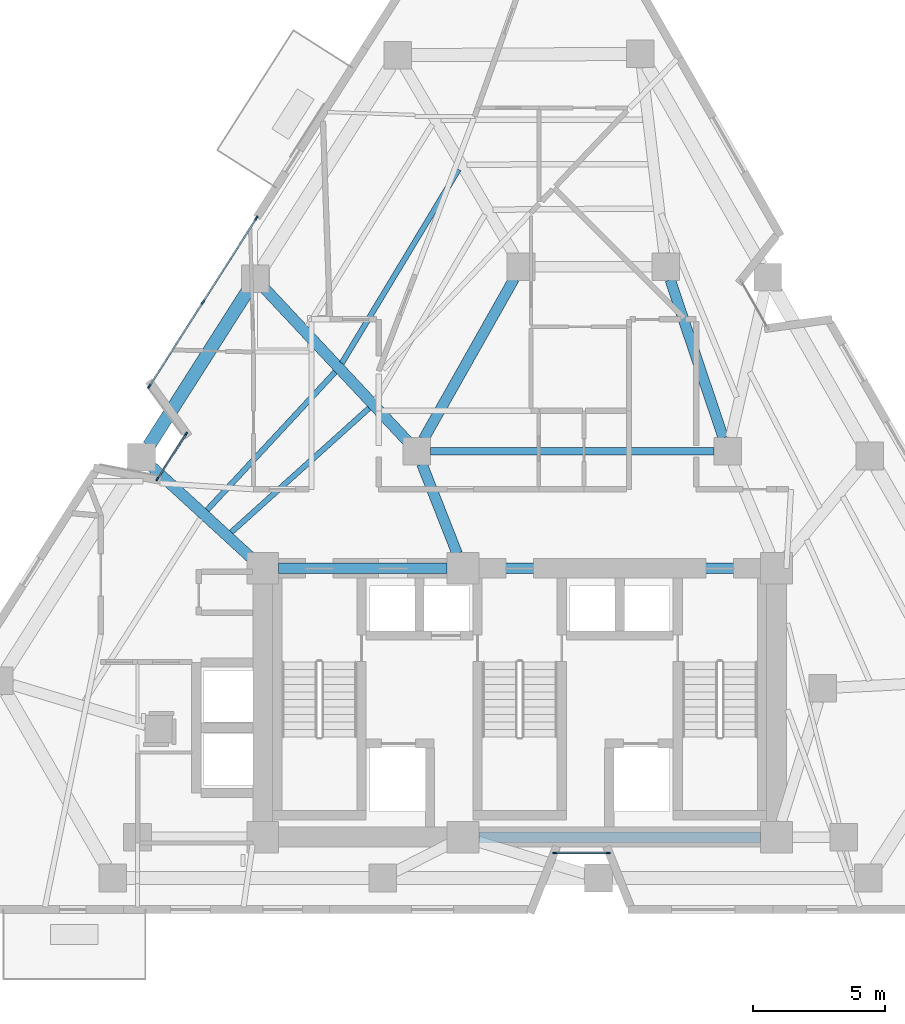
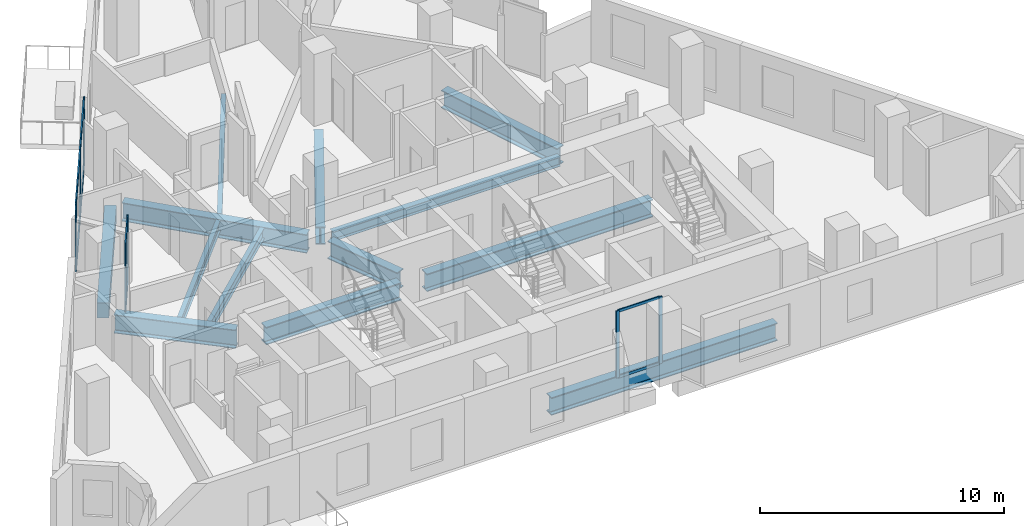
# One storey, part 2 of 11: 15 members, 13 beams, 3 elements without a shape of their own.
"""IFC4 building model written with IfcOpenShell, lengths in metres."""

from ifc_helpers import new_model, si_unit, direction, frame, origin, origin_2d, place, context, subcontext, project, spatial, rectangle, i_section, extrude, material, layer, layer_set, material_profile, profile_set, type_object, element, aggregate, save


model = new_model("IFC4")

# Units and contexts
model_context = context("Model", 3, precision=1e-05, world=origin(), true_north=direction((0.0, 1.0)))
body_context = subcontext(model_context, "Body", "Model", "MODEL_VIEW")
ifc_project = project(units=[si_unit("LENGTHUNIT", "METRE"), si_unit("AREAUNIT", "SQUARE_METRE"), si_unit("VOLUMEUNIT", "CUBIC_METRE"), si_unit("PLANEANGLEUNIT", "RADIAN"), si_unit("MASSUNIT", "GRAM", prefix="KILO")], contexts=[model_context])

# Site, building, storey
site_placement = place(None, origin())
site = spatial("IfcSite", under=ifc_project, at=site_placement, CompositionType="ELEMENT")
building_placement = place(site_placement, origin())
building = spatial("IfcBuilding", under=site, at=building_placement, Name="Almagre Mirador Tower", CompositionType="ELEMENT")
storey_placement = place(building_placement, frame((0.0, 0.0, 150.0)))
storey = spatial("IfcBuildingStorey", under=building, at=storey_placement, Name="L38", CompositionType="ELEMENT", Elevation=150.0)

# Beams
ifc_material_1 = material(Name="Steel ASTM A992 Grade 50", Category="steel")
ifc_material_profile_1 = material_profile(ifc_material_1, i_section(OverallWidth=0.281982421875, OverallDepth=0.467041015625, WebThickness=0.01220703125, FlangeThickness=0.01953125, FilletRadius=0.01611328125, at=origin_2d()), Name="W18X86")
ifc_profile_set_1 = profile_set([ifc_material_profile_1], Name="Steel ASTM A992 Grade 50")
beam_type_1 = type_object("IfcBeamType", Name="BM-BAL-W18X86", PredefinedType="JOIST", material=ifc_profile_set_1)
beam_1_placement = place(storey_placement, frame((33.925048828125, 19.199951171875, -0.4833984375), z_axis=(1.0, 0.0, 0.0), x_axis=(0.0, 1.0, 0.0)))
element("IfcBeam", 1, at=beam_1_placement, inside=storey, type_object=beam_type_1, Name="L38 secondary header beam BB-01", PredefinedType="JOIST", context=body_context, shape_type="SweptSolid", body=[
    extrude(i_section(OverallWidth=0.281982421875, OverallDepth=0.467041015625, WebThickness=0.01220703125, FlangeThickness=0.01953125, FilletRadius=0.01611328125, at=origin_2d()), origin(), (0.0, 0.0, 1.0), 10.75),
])
ifc_material_2 = material(Name="Steel ASTM A992 Grade 50", Category="steel")
ifc_material_profile_2 = material_profile(ifc_material_2, i_section(OverallWidth=0.208984375, OverallDepth=0.532958984375, WebThickness=0.01025390625, FlangeThickness=0.015625, FilletRadius=0.01806640625, at=origin_2d()), Name="W21X62")
ifc_profile_set_2 = profile_set([ifc_material_profile_2], Name="Steel ASTM A992 Grade 50")
beam_type_2 = type_object("IfcBeamType", Name="BM-JST-W21X62", PredefinedType="JOIST", material=ifc_profile_set_2)
beam_2_placement = place(storey_placement, frame((34.986083984375, 29.89208984375, -0.5166015625), z_axis=(-0.516288028527, -0.856415011311, 0.0), x_axis=(0.856415011311, -0.516288028527, 0.0)))
element("IfcBeam", 2, at=beam_2_placement, inside=storey, type_object=beam_type_2, Name="L38 secondary floor joist PC09-PC10.2", PredefinedType="JOIST", context=body_context, shape_type="SweptSolid", body=[
    extrude(i_section(OverallWidth=0.208984375, OverallDepth=0.532958984375, WebThickness=0.01025390625, FlangeThickness=0.015625, FilletRadius=0.01806640625, at=origin_2d()), origin(), (0.0, 0.0, 1.0), 8.58837890625),
])
beam_3_placement = place(storey_placement, frame((30.302001953125, 22.20458984375, -0.5166015625), z_axis=(-0.680188995277, -0.733036786733, 0.0), x_axis=(0.733036786733, -0.680188995277, 0.0)))
element("IfcBeam", 3, at=beam_3_placement, inside=storey, type_object=beam_type_2, Name="L38 secondary floor joist PC10-PC11.2", PredefinedType="JOIST", context=body_context, shape_type="SweptSolid", body=[
    extrude(i_section(OverallWidth=0.208984375, OverallDepth=0.532958984375, WebThickness=0.01025390625, FlangeThickness=0.015625, FilletRadius=0.01806640625, at=origin_2d()), origin(), (0.0, 0.0, 1.0), 7.146728515625),
])
beam_4_placement = place(storey_placement, frame((31.58740234375, 20.830810546875, -0.5166015625), z_axis=(-0.743228574816, -0.669037581588, 0.0), x_axis=(0.669037581588, -0.743228574816, 0.0)))
element("IfcBeam", 4, at=beam_4_placement, inside=storey, type_object=beam_type_2, Name="L38 secondary floor joist PC10-PC11.3", PredefinedType="JOIST", context=body_context, shape_type="SweptSolid", body=[
    extrude(i_section(OverallWidth=0.208984375, OverallDepth=0.532958984375, WebThickness=0.01025390625, FlangeThickness=0.015625, FilletRadius=0.01806640625, at=origin_2d()), origin(), (0.0, 0.0, 1.0), 7.03564453125),
])
ifc_material_3 = material(Name="Precast concrete C50/60", Category="concrete")
ifc_material_profile_3 = material_profile(ifc_material_3, rectangle(XDim=0.5, YDim=0.75, at=origin_2d()), Name="RC500X750")
ifc_profile_set_3 = profile_set([ifc_material_profile_3], Name="Precast concrete C50/60")
beam_type_3 = type_object("IfcBeamType", Name="BM-SPN-RC500X750", PredefinedType="SPANDREL", material=ifc_profile_set_3)
beam_5_placement = place(storey_placement, frame((26.989990234375, 25.30419921875, -0.625), z_axis=(-0.537135259931, -0.843496124792, 0.0), x_axis=(0.843496124792, -0.537135259931, 0.0)))
element("IfcBeam", 5, at=beam_5_placement, inside=storey, type_object=beam_type_3, Name="L38 perimeter spandrel beam PC10-PC11", PredefinedType="SPANDREL", context=body_context, shape_type="SweptSolid", body=[
    extrude(rectangle(XDim=0.5, YDim=0.75, at=origin_2d()), origin(), (0.0, 0.0, 1.0), 6.992919921875),
])
ifc_material_4 = material(Name="Steel ASTM A992 Grade 50", Category="steel")
ifc_material_profile_4 = material_profile(ifc_material_4, i_section(OverallWidth=0.404052734375, OverallDepth=0.884033203125, WebThickness=0.0244140625, FlangeThickness=0.0439453125, FilletRadius=0.02490234375, at=origin_2d()), Name="W33X291")
ifc_profile_set_4 = profile_set([ifc_material_profile_4], Name="Steel ASTM A992 Grade 50")
beam_type_4 = type_object("IfcBeamType", Name="BM-STL-W33X291", PredefinedType="BEAM", material=ifc_profile_set_4)
beam_6_placement = place(storey_placement, frame((35.75, 4.550048828125, -0.69189453125), z_axis=(1.0, 0.0, 0.0), x_axis=(0.0, 1.0, 0.0)))
element("IfcBeam", 6, at=beam_6_placement, inside=storey, type_object=beam_type_4, Name="L38 core tie girder CC2-CC3", PredefinedType="BEAM", context=body_context, shape_type="SweptSolid", body=[
    extrude(i_section(OverallWidth=0.404052734375, OverallDepth=0.884033203125, WebThickness=0.0244140625, FlangeThickness=0.0439453125, FilletRadius=0.02490234375, at=origin_2d()), origin(), (0.0, 0.0, 1.0), 10.699951171875),
])
beam_7_placement = place(storey_placement, frame((28.14990234375, 14.75, -0.69189453125), z_axis=(1.0, 0.0, 0.0), x_axis=(0.0, 1.0, 0.0)))
element("IfcBeam", 7, at=beam_7_placement, inside=storey, type_object=beam_type_4, Name="L38 core tie girder CC4-CC5", PredefinedType="BEAM", context=body_context, shape_type="SweptSolid", body=[
    extrude(i_section(OverallWidth=0.404052734375, OverallDepth=0.884033203125, WebThickness=0.0244140625, FlangeThickness=0.0439453125, FilletRadius=0.02490234375, at=origin_2d()), origin(), (0.0, 0.0, 1.0), 6.400146484375),
])
beam_8_placement = place(storey_placement, frame((35.75, 14.75, -0.69189453125), z_axis=(1.0, 0.0, 0.0), x_axis=(0.0, 1.0, 0.0)))
element("IfcBeam", 8, at=beam_8_placement, inside=storey, type_object=beam_type_4, Name="L38 core tie girder CC5-CC6", PredefinedType="BEAM", context=body_context, shape_type="SweptSolid", body=[
    extrude(i_section(OverallWidth=0.404052734375, OverallDepth=0.884033203125, WebThickness=0.0244140625, FlangeThickness=0.0439453125, FilletRadius=0.02490234375, at=origin_2d()), origin(), (0.0, 0.0, 1.0), 10.699951171875),
])
beam_9_placement = place(storey_placement, frame((43.01708984375, 25.702392578125, -0.69189453125), z_axis=(0.318262189587, -0.948002731367, 0.0), x_axis=(0.948002731367, 0.318262189587, 0.0)))
element("IfcBeam", 9, at=beam_9_placement, inside=storey, type_object=beam_type_4, Name="L38 core tie girder MC6-MC5", PredefinedType="BEAM", context=body_context, shape_type="SweptSolid", body=[
    extrude(i_section(OverallWidth=0.404052734375, OverallDepth=0.884033203125, WebThickness=0.0244140625, FlangeThickness=0.0439453125, FilletRadius=0.02490234375, at=origin_2d()), origin(), (0.0, 0.0, 1.0), 6.333984375),
])
beam_10_placement = place(storey_placement, frame((37.092041015625, 25.742919921875, -0.69189453125), z_axis=(-0.491443510044, -0.870909453638, 0.0), x_axis=(0.870909453638, -0.491443510044, 0.0)))
element("IfcBeam", 10, at=beam_10_placement, inside=storey, type_object=beam_type_4, Name="L38 core tie girder MC7-MC8", PredefinedType="BEAM", context=body_context, shape_type="SweptSolid", body=[
    extrude(i_section(OverallWidth=0.404052734375, OverallDepth=0.884033203125, WebThickness=0.0244140625, FlangeThickness=0.0439453125, FilletRadius=0.02490234375, at=origin_2d()), origin(), (0.0, 0.0, 1.0), 6.98779296875),
])
beam_11_placement = place(storey_placement, frame((33.592041015625, 18.71142578125, -0.69189453125), z_axis=(0.365997304164, -0.930615910752, 0.0), x_axis=(0.930615910752, 0.365997304164, 0.0)))
element("IfcBeam", 11, at=beam_11_placement, inside=storey, type_object=beam_type_4, Name="L38 core tie girder MC8-CC5", PredefinedType="BEAM", context=body_context, shape_type="SweptSolid", body=[
    extrude(i_section(OverallWidth=0.404052734375, OverallDepth=0.884033203125, WebThickness=0.0244140625, FlangeThickness=0.0439453125, FilletRadius=0.02490234375, at=origin_2d()), origin(), (0.0, 0.0, 1.0), 3.65673828125),
])
ifc_material_5 = material(Name="Steel ASTM A992 Grade 50", Category="steel")
ifc_material_profile_5 = material_profile(ifc_material_5, i_section(OverallWidth=0.41796875, OverallDepth=0.927001953125, WebThickness=0.019287109375, FlangeThickness=0.031982421875, FilletRadius=0.028076171875, at=origin_2d()), Name="W36X231")
ifc_profile_set_5 = profile_set([ifc_material_profile_5], Name="Steel ASTM A992 Grade 50")
beam_type_5 = type_object("IfcBeamType", Name="BM-STL-W36X231", PredefinedType="BEAM", material=ifc_profile_set_5)
beam_12_placement = place(storey_placement, frame((27.630859375, 25.36376953125, -0.71337890625), z_axis=(0.683347013073, -0.730093733519, 0.0), x_axis=(0.730093733519, 0.683347013073, 0.0)))
element("IfcBeam", 12, at=beam_12_placement, inside=storey, type_object=beam_type_5, Name="L38 radial floor girder PC10-MC8", PredefinedType="BEAM", context=body_context, shape_type="SweptSolid", body=[
    extrude(i_section(OverallWidth=0.41796875, OverallDepth=0.927001953125, WebThickness=0.019287109375, FlangeThickness=0.031982421875, FilletRadius=0.028076171875, at=origin_2d()), origin(), (0.0, 0.0, 1.0), 7.91748046875),
])
beam_13_placement = place(storey_placement, frame((23.339111328125, 18.6083984375, -0.71337890625), z_axis=(0.73728894688, -0.675577537229, 0.0), x_axis=(0.675577537229, 0.73728894688, 0.0)))
element("IfcBeam", 13, at=beam_13_placement, inside=storey, type_object=beam_type_5, Name="L38 radial floor girder PC11-CC4", PredefinedType="BEAM", context=body_context, shape_type="SweptSolid", body=[
    extrude(i_section(OverallWidth=0.41796875, OverallDepth=0.927001953125, WebThickness=0.019287109375, FlangeThickness=0.031982421875, FilletRadius=0.028076171875, at=origin_2d()), origin(), (0.0, 0.0, 1.0), 5.111328125),
])

# Curtain wall, members
ifc_material_6 = material(Name="Black anodized aluminium", Category="aluminium")
ifc_layer_1 = layer(ifc_material_6, 0.169921875)
ifc_layer_set_1 = layer_set([ifc_layer_1], Name="Black anodized aluminium")
curtain_wall_type_1 = type_object("IfcCurtainWallType", Name="CW-CRS-SYS", PredefinedType="NOTDEFINED", material=ifc_layer_set_1)
curtain_wall_1_placement = place(storey_placement, origin())
curtain_wall_1 = element("IfcCurtainWall", 14, at=curtain_wall_1_placement, inside=storey, type_object=curtain_wall_type_1, Name="L38 vertical crease curtain wall 01", PredefinedType="NOTDEFINED")
ifc_material_7 = material(Name="Black anodized aluminium", Category="aluminium")
ifc_material_profile_6 = material_profile(ifc_material_7, rectangle(XDim=0.06005859375, YDim=0.14990234375, at=origin_2d()), Name="CWM60X150")
ifc_profile_set_6 = profile_set([ifc_material_profile_6], Name="Black anodized aluminium")
member_type_1 = type_object("IfcMemberType", Name="MBR-CWM60X150", PredefinedType="MULLION", material=ifc_profile_set_6)
member_1_placement = place(storey_placement, frame((23.552001953125, 18.13720703125, 0.0), z_axis=(0.0, 0.0, 1.0), x_axis=(-0.843286851254, 0.537463753664, 0.0)))
member_1 = element("IfcMember", 15, at=member_1_placement, type_object=member_type_1, Name="CW-4 mullion 1", PredefinedType="MULLION", context=body_context, shape_type="SweptSolid", body=[
    extrude(rectangle(XDim=0.06005859375, YDim=0.14990234375, at=origin_2d()), origin(), (0.0, 0.0, 1.0), 3.35009765625),
])
member_2_placement = place(storey_placement, frame((24.642822265625, 19.8486328125, 0.0), z_axis=(0.0, 0.0, 1.0), x_axis=(-0.843286851254, 0.537463753664, 0.0)))
member_2 = element("IfcMember", 16, at=member_2_placement, type_object=member_type_1, Name="CW-4 mullion 2", PredefinedType="MULLION", context=body_context, shape_type="SweptSolid", body=[
    extrude(rectangle(XDim=0.06005859375, YDim=0.14990234375, at=origin_2d()), origin(), (0.0, 0.0, 1.0), 3.35009765625),
])

curtain_wall_2_placement = place(storey_placement, origin())
curtain_wall_2 = element("IfcCurtainWall", 17, at=curtain_wall_2_placement, inside=storey, type_object=curtain_wall_type_1, Name="L38 vertical crease curtain wall 04", PredefinedType="NOTDEFINED")
member_3_placement = place(storey_placement, frame((40.6708984375, 3.949951171875, 0.0), z_axis=(0.0, 0.0, 1.0), x_axis=(0.0, -1.0, 0.0)))
member_3 = element("IfcMember", 18, at=member_3_placement, type_object=member_type_1, Name="CW-4 mullion 1", PredefinedType="MULLION", context=body_context, shape_type="SweptSolid", body=[
    extrude(rectangle(XDim=0.06005859375, YDim=0.14990234375, at=origin_2d()), origin(), (0.0, 0.0, 1.0), 3.35009765625),
])
member_4_placement = place(storey_placement, frame((38.64111328125, 3.949951171875, 0.0), z_axis=(0.0, 0.0, 1.0), x_axis=(0.0, -1.0, 0.0)))
member_4 = element("IfcMember", 19, at=member_4_placement, type_object=member_type_1, Name="CW-4 mullion 2", PredefinedType="MULLION", context=body_context, shape_type="SweptSolid", body=[
    extrude(rectangle(XDim=0.06005859375, YDim=0.14990234375, at=origin_2d()), origin(), (0.0, 0.0, 1.0), 3.35009765625),
])

ifc_material_8 = material(Name="Black anodized aluminium", Category="aluminium")
ifc_layer_2 = layer(ifc_material_8, 0.199951171875)
ifc_layer_set_2 = layer_set([ifc_layer_2], Name="Black anodized aluminium")
curtain_wall_type_2 = type_object("IfcCurtainWallType", Name="CW-RES-H-SYS", PredefinedType="NOTDEFINED", material=ifc_layer_set_2)
curtain_wall_3_placement = place(storey_placement, origin())
curtain_wall_3 = element("IfcCurtainWall", 20, at=curtain_wall_3_placement, inside=storey, type_object=curtain_wall_type_2, Name="L38 curtain wall run 02", PredefinedType="NOTDEFINED")
ifc_material_9 = material(Name="Black anodized aluminium", Category="aluminium")
ifc_material_profile_7 = material_profile(ifc_material_9, rectangle(XDim=0.06494140625, YDim=0.179931640625, at=origin_2d()), Name="CWM65X180")
ifc_profile_set_7 = profile_set([ifc_material_profile_7], Name="Black anodized aluminium")
member_type_2 = type_object("IfcMemberType", Name="MBR-CWM65X180", PredefinedType="MULLION", material=ifc_profile_set_7)
member_5_placement = place(storey_placement, frame((23.246337890625, 21.659423828125, 0.0), z_axis=(0.0, 0.0, 1.0), x_axis=(-0.84350876218, 0.537115414157, 0.0)))
member_5 = element("IfcMember", 21, at=member_5_placement, type_object=member_type_2, Name="CW-3 mullion 1", PredefinedType="MULLION", context=body_context, shape_type="SweptSolid", body=[
    extrude(rectangle(XDim=0.06494140625, YDim=0.179931640625, at=origin_2d()), origin(), (0.0, 0.0, 1.0), 3.35009765625),
])
member_6_placement = place(storey_placement, frame((25.2783203125, 24.8505859375, 0.0), z_axis=(0.0, 0.0, 1.0), x_axis=(-0.84350876218, 0.537115414157, 0.0)))
member_6 = element("IfcMember", 22, at=member_6_placement, type_object=member_type_2, Name="CW-3 mullion 2", PredefinedType="MULLION", context=body_context, shape_type="SweptSolid", body=[
    extrude(rectangle(XDim=0.06494140625, YDim=0.179931640625, at=origin_2d()), origin(), (0.0, 0.0, 1.0), 3.35009765625),
])
member_7_placement = place(storey_placement, frame((27.310546875, 28.0419921875, 0.0), z_axis=(0.0, 0.0, 1.0), x_axis=(-0.84350876218, 0.537115414157, 0.0)))
member_7 = element("IfcMember", 23, at=member_7_placement, type_object=member_type_2, Name="CW-3 mullion 3", PredefinedType="MULLION", context=body_context, shape_type="SweptSolid", body=[
    extrude(rectangle(XDim=0.06494140625, YDim=0.179931640625, at=origin_2d()), origin(), (0.0, 0.0, 1.0), 3.35009765625),
])

# Member
ifc_material_10 = material(Name="Black anodized aluminium", Category="aluminium")
ifc_material_profile_8 = material_profile(ifc_material_10, rectangle(XDim=0.06005859375, YDim=0.1298828125, at=origin_2d()), Name="CWT60X130")
ifc_profile_set_8 = profile_set([ifc_material_profile_8], Name="Black anodized aluminium")
member_type_3 = type_object("IfcMemberType", Name="MBR-CWT60X130", PredefinedType="USERDEFINED", material=ifc_profile_set_8)
member_8_placement = place(storey_placement, frame((23.568359375, 18.16259765625, 0.030029296875), z_axis=(0.5373887542, 0.843334647017, 0.0), x_axis=(-0.843334647017, 0.5373887542, 0.0)))
member_8 = element("IfcMember", 24, at=member_8_placement, type_object=member_type_3, Name="CW-4 transom 1.1", ObjectType="TRANSOM", PredefinedType="USERDEFINED", context=body_context, shape_type="SweptSolid", body=[
    extrude(rectangle(XDim=0.06005859375, YDim=0.1298828125, at=origin_2d()), origin(), (0.0, 0.0, 1.0), 1.969482421875),
])

member_9_placement = place(storey_placement, frame((23.568359375, 18.16259765625, 3.320068359375), z_axis=(0.5373887542, 0.843334647017, 0.0), x_axis=(-0.843334647017, 0.5373887542, 0.0)))
member_9 = element("IfcMember", 25, at=member_9_placement, type_object=member_type_3, Name="CW-4 transom 1.2", ObjectType="TRANSOM", PredefinedType="USERDEFINED", context=body_context, shape_type="SweptSolid", body=[
    extrude(rectangle(XDim=0.06005859375, YDim=0.1298828125, at=origin_2d()), origin(), (0.0, 0.0, 1.0), 1.969482421875),
])

aggregate(curtain_wall_1, [member_1, member_2, member_8, member_9])

member_10_placement = place(storey_placement, frame((40.64111328125, 3.949951171875, 0.030029296875), z_axis=(-1.0, 0.0, 0.0), x_axis=(0.0, -1.0, 0.0)))
member_10 = element("IfcMember", 26, at=member_10_placement, type_object=member_type_3, Name="CW-4 transom 1.1", ObjectType="TRANSOM", PredefinedType="USERDEFINED", context=body_context, shape_type="SweptSolid", body=[
    extrude(rectangle(XDim=0.06005859375, YDim=0.1298828125, at=origin_2d()), origin(), (0.0, 0.0, 1.0), 1.97021484375),
])

member_11_placement = place(storey_placement, frame((40.64111328125, 3.949951171875, 3.320068359375), z_axis=(-1.0, 0.0, 0.0), x_axis=(0.0, -1.0, 0.0)))
member_11 = element("IfcMember", 27, at=member_11_placement, type_object=member_type_3, Name="CW-4 transom 1.2", ObjectType="TRANSOM", PredefinedType="USERDEFINED", context=body_context, shape_type="SweptSolid", body=[
    extrude(rectangle(XDim=0.06005859375, YDim=0.1298828125, at=origin_2d()), origin(), (0.0, 0.0, 1.0), 1.97021484375),
])

aggregate(curtain_wall_2, [member_3, member_4, member_10, member_11])

ifc_material_11 = material(Name="Black anodized aluminium", Category="aluminium")
ifc_material_profile_9 = material_profile(ifc_material_11, rectangle(XDim=0.06494140625, YDim=0.14990234375, at=origin_2d()), Name="CWT65X150")
ifc_profile_set_9 = profile_set([ifc_material_profile_9], Name="Black anodized aluminium")
member_type_4 = type_object("IfcMemberType", Name="MBR-CWT65X150", PredefinedType="USERDEFINED", material=ifc_profile_set_9)
member_12_placement = place(storey_placement, frame((23.263671875, 21.686767578125, 0.032470703125), z_axis=(0.537138865947, 0.843493828483, 0.0), x_axis=(-0.843493828483, 0.537138865947, 0.0)))
member_12 = element("IfcMember", 28, at=member_12_placement, type_object=member_type_4, Name="CW-3 transom 1.1", ObjectType="TRANSOM", PredefinedType="USERDEFINED", context=body_context, shape_type="SweptSolid", body=[
    extrude(rectangle(XDim=0.06494140625, YDim=0.14990234375, at=origin_2d()), origin(), (0.0, 0.0, 1.0), 3.718505859375),
])

member_13_placement = place(storey_placement, frame((23.263671875, 21.686767578125, 3.3173828125), z_axis=(0.537138865947, 0.843493828483, 0.0), x_axis=(-0.843493828483, 0.537138865947, 0.0)))
member_13 = element("IfcMember", 29, at=member_13_placement, type_object=member_type_4, Name="CW-3 transom 1.2", ObjectType="TRANSOM", PredefinedType="USERDEFINED", context=body_context, shape_type="SweptSolid", body=[
    extrude(rectangle(XDim=0.06494140625, YDim=0.14990234375, at=origin_2d()), origin(), (0.0, 0.0, 1.0), 3.718505859375),
])

member_14_placement = place(storey_placement, frame((25.2958984375, 24.8779296875, 0.032470703125), z_axis=(0.537092149804, 0.843523575615, 0.0), x_axis=(-0.843523575615, 0.537092149804, 0.0)))
member_14 = element("IfcMember", 30, at=member_14_placement, type_object=member_type_4, Name="CW-3 transom 2.1", ObjectType="TRANSOM", PredefinedType="USERDEFINED", context=body_context, shape_type="SweptSolid", body=[
    extrude(rectangle(XDim=0.06494140625, YDim=0.14990234375, at=origin_2d()), origin(), (0.0, 0.0, 1.0), 3.71826171875),
])

member_15_placement = place(storey_placement, frame((25.2958984375, 24.8779296875, 3.3173828125), z_axis=(0.537092149804, 0.843523575615, 0.0), x_axis=(-0.843523575615, 0.537092149804, 0.0)))
member_15 = element("IfcMember", 31, at=member_15_placement, type_object=member_type_4, Name="CW-3 transom 2.2", ObjectType="TRANSOM", PredefinedType="USERDEFINED", context=body_context, shape_type="SweptSolid", body=[
    extrude(rectangle(XDim=0.06494140625, YDim=0.14990234375, at=origin_2d()), origin(), (0.0, 0.0, 1.0), 3.71826171875),
])

aggregate(curtain_wall_3, [member_5, member_6, member_7, member_12, member_13, member_14, member_15])

save(model, "model.ifc")
